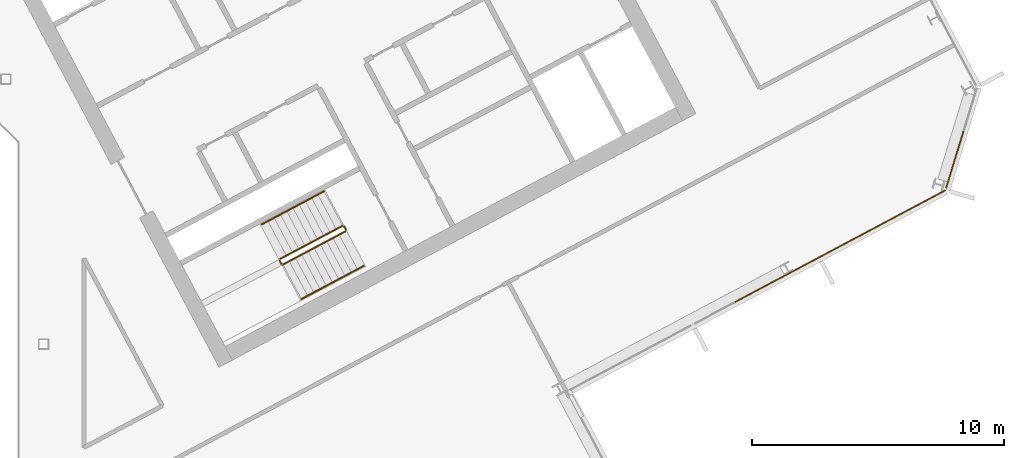
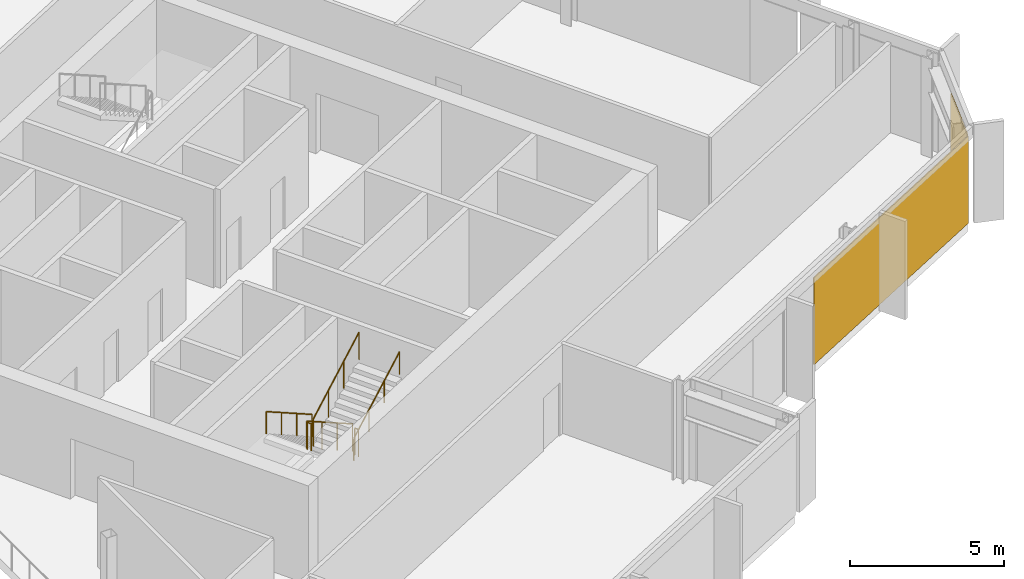
# One storey, part 24 of 26: 6 railings, 2 coverings, 2 elements without a shape of their own.
"""IFC4 building model written with IfcOpenShell, lengths in metres."""

import ifcopenshell
import ifcopenshell.guid

model = None  # the IFC model being written
_history = None  # IfcOwnerHistory: only IFC2X3 demands one
_inside = {}  # id of a spatial element -> (the spatial element, [elements in it])
_under = {}  # id of a project, library or spatial element -> (it, [spatial elements below it])
_declared = {}  # id of a project -> (the project, [libraries it declares])
_typed = {}  # id of a type object -> (the type object, [elements of that type])
_made_of = {}  # id of a material, layer set ... -> (it, [elements and type objects made of it])


def new_model(schema):
    """Start an empty IFC model of exactly this schema.

    Asked for "IFC4X3", IfcOpenShell would pick the latest addendum, in which some entities
    have other attributes; the version numbers below select the first issue.
    IFC2X3 requires an IfcOwnerHistory on every rooted entity: one is made here for all.
    """
    global model, _history
    if schema == "IFC4X3":
        model = ifcopenshell.file(schema_version=(4, 3, 0, 0))
    else:
        model = ifcopenshell.file(schema=schema)
    _inside.clear()
    _under.clear()
    _declared.clear()
    _typed.clear()
    _made_of.clear()
    _history = None
    if model.schema == "IFC2X3":
        org = make("IfcOrganization", Name="unknown")
        user = make(
            "IfcPersonAndOrganization",
            ThePerson=make("IfcPerson", FamilyName="unknown"),
            TheOrganization=org,
        )
        app = make(
            "IfcApplication",
            ApplicationDeveloper=org,
            Version="unknown",
            ApplicationFullName="unknown",
            ApplicationIdentifier="unknown",
        )
        _history = make(
            "IfcOwnerHistory",
            OwningUser=user,
            OwningApplication=app,
            ChangeAction="ADDED",
            CreationDate=0,
        )
    return model


def make(cls, **values):
    """One entity of the class cls with the attributes given. An attribute that is None is left unset."""
    return model.create_entity(
        cls, **{name: value for name, value in values.items() if value is not None}
    )


def rooted(cls, **values):
    """An entity with a GlobalId (a new one), such as an element, a storey or a relation."""
    return make(cls, GlobalId=ifcopenshell.guid.new(), OwnerHistory=_history, **values)


def si_unit(unit_type, name, prefix=None):
    """IfcSIUnit, for example si_unit("LENGTHUNIT", "METRE", prefix="MILLI")."""
    return make("IfcSIUnit", UnitType=unit_type, Prefix=prefix, Name=name)


def assignment(units):
    """IfcUnitAssignment: the units of a project."""
    return None if units is None else make("IfcUnitAssignment", Units=units)


def point(xyz):
    """IfcCartesianPoint."""
    return None if xyz is None else make("IfcCartesianPoint", Coordinates=xyz)


def direction(xyz):
    """IfcDirection."""
    return None if xyz is None else make("IfcDirection", DirectionRatios=xyz)


def frame(location, z_axis=None, x_axis=None):
    """IfcAxis2Placement3D, a coordinate frame: its origin and axes. An axis left out is left unset."""
    return make(
        "IfcAxis2Placement3D",
        Location=point(location),
        Axis=direction(z_axis),
        RefDirection=direction(x_axis),
    )


def frame_2d(location, x_axis=None):
    """IfcAxis2Placement2D, a coordinate frame in the plane: its origin and x axis."""
    return make(
        "IfcAxis2Placement2D", Location=point(location), RefDirection=direction(x_axis)
    )


def origin():
    """The frame at (0, 0, 0) with its axes left unset."""
    return frame((0.0, 0.0, 0.0))


def origin_2d():
    """The frame at (0, 0) in the plane with its x axis left unset."""
    return frame_2d((0.0, 0.0))


def place(relative_to, where):
    """IfcLocalPlacement: puts the frame where relative to a parent placement (None: the world)."""
    return make(
        "IfcLocalPlacement", PlacementRelTo=relative_to, RelativePlacement=where
    )


def context(
    kind, dimensions, precision=None, world=None, true_north=None, identifier=None
):
    """IfcGeometricRepresentationContext, for example the 3D "Model" context."""
    return make(
        "IfcGeometricRepresentationContext",
        ContextIdentifier=identifier,
        ContextType=kind,
        CoordinateSpaceDimension=dimensions,
        Precision=precision,
        WorldCoordinateSystem=world,
        TrueNorth=true_north,
    )


def subcontext(parent, identifier, kind, view, scale=None):
    """IfcGeometricRepresentationSubContext, for example "Body" below "Model"."""
    return make(
        "IfcGeometricRepresentationSubContext",
        ContextIdentifier=identifier,
        ContextType=kind,
        ParentContext=parent,
        TargetScale=scale,
        TargetView=view,
    )


def project(units=None, contexts=None):
    """IfcProject with its units and contexts."""
    return rooted(
        "IfcProject",
        Name="project",
        RepresentationContexts=contexts,
        UnitsInContext=assignment(units),
    )


def spatial(cls, under=None, at=None, **own):
    """A site, building, storey or space (cls), placed at a placement, below another one or the project."""
    s = rooted(cls, ObjectPlacement=at, **own)
    if under is not None:
        _under.setdefault(under.id(), (under, []))[1].append(s)
    return s


def polyline(points):
    """IfcPolyline through the points."""
    return make("IfcPolyline", Points=[point(p) for p in points])


def profile(cls, at=None, kind="AREA", **sizes):
    """A parametric profile (cls). Its sizes go by their IFC names, for example OverallWidth=200.0."""
    return make(cls, ProfileType=kind, Position=at, **sizes)


def rectangle(**sizes):
    """IfcRectangleProfileDef."""
    return profile("IfcRectangleProfileDef", **sizes)


def outline(outer, holes=None, kind="AREA"):
    """IfcArbitraryClosedProfileDef: a profile drawn as a closed curve; with holes, ...WithVoids."""
    if holes is None:
        return make("IfcArbitraryClosedProfileDef", ProfileType=kind, OuterCurve=outer)
    return make(
        "IfcArbitraryProfileDefWithVoids",
        ProfileType=kind,
        OuterCurve=outer,
        InnerCurves=holes,
    )


def extrude(swept, where, along, depth):
    """IfcExtrudedAreaSolid: the profile swept, set in the frame where, extruded along a direction by depth."""
    return make(
        "IfcExtrudedAreaSolid",
        SweptArea=swept,
        Position=where,
        ExtrudedDirection=direction(along),
        Depth=depth,
    )


def shape(context_of_items, identifier, shape_type, items):
    """IfcShapeRepresentation: the items that make up one representation, for example the "Body"."""
    return make(
        "IfcShapeRepresentation",
        ContextOfItems=context_of_items,
        RepresentationIdentifier=identifier,
        RepresentationType=shape_type,
        Items=items,
    )


def material(Name=None, Category=None):
    """IfcMaterial."""
    return make("IfcMaterial", Name=Name, Category=Category)


def layer(
    of_material, thickness, ventilated=None, Name=None, Category=None, Priority=None
):
    """IfcMaterialLayer: one layer of a wall or slab, of a material (None: an air gap)."""
    return make(
        "IfcMaterialLayer",
        Material=of_material,
        LayerThickness=thickness,
        IsVentilated=ventilated,
        Name=Name,
        Category=Category,
        Priority=Priority,
    )


def layer_set(layers, Name=None):
    """IfcMaterialLayerSet."""
    return make("IfcMaterialLayerSet", MaterialLayers=layers, LayerSetName=Name)


def made_of(thing, what):
    """Note that an element or type object is made of a material, layer set ...; save() writes the relation."""
    if what is not None:
        _made_of.setdefault(what.id(), (what, []))[1].append(thing)
    return thing


def type_object(cls, material=None, **own):
    """A type object (cls), such as IfcWallType, which elements share."""
    return made_of(rooted(cls, **own), material)


def element(
    cls,
    number,
    at=None,
    inside=None,
    cuts=None,
    type_object=None,
    material=None,
    context=None,
    identifier="Body",
    shape_type=None,
    held_by="IfcProductDefinitionShape",
    body=None,
    shapes=None,
    **own,
):
    """One element of the class cls, such as IfcWall. Its Tag is "e" and its number.

    at: its placement. inside: the storey or other place that contains it. cuts: it is an
    opening in that element (IfcRelVoidsElement). A single representation is given by context,
    identifier, shape_type and body (its items); several are given by shapes. held_by: the class
    of the entity that holds the representations. save() writes the other relations.
    """
    e = rooted(cls, Tag="e%d" % number, ObjectPlacement=at, **own)
    if body is not None:
        shapes = [shape(context, identifier, shape_type, body)]
    if shapes is not None:
        e.Representation = make(held_by, Representations=shapes)
    if inside is not None:
        _inside.setdefault(inside.id(), (inside, []))[1].append(e)
    if cuts is not None:
        rooted(
            "IfcRelVoidsElement", RelatingBuildingElement=cuts, RelatedOpeningElement=e
        )
    if type_object is not None:
        _typed.setdefault(type_object.id(), (type_object, []))[1].append(e)
    return made_of(e, material)


def aggregate(whole, parts):
    """IfcRelAggregates: a whole, such as a stair, and the parts it consists of."""
    return rooted("IfcRelAggregates", RelatingObject=whole, RelatedObjects=parts)


def save(model, path):
    """Write the relations noted so far, then the file.

    IfcRelAggregates (storeys below a building ...), IfcRelContainedInSpatialStructure (elements
    in a storey), IfcRelDefinesByType, IfcRelAssociatesMaterial and IfcRelDeclares: one each for
    every whole, place, type object, material and project.
    """
    for whole, parts in _under.values():
        aggregate(whole, parts)
    for where, things in _inside.values():
        rooted(
            "IfcRelContainedInSpatialStructure",
            RelatedElements=things,
            RelatingStructure=where,
        )
    for kind, things in _typed.values():
        rooted("IfcRelDefinesByType", RelatedObjects=things, RelatingType=kind)
    for what, things in _made_of.values():
        rooted("IfcRelAssociatesMaterial", RelatedObjects=things, RelatingMaterial=what)
    for by, libraries in _declared.values():
        rooted("IfcRelDeclares", RelatingContext=by, RelatedDefinitions=libraries)
    model.write(path)


model = new_model("IFC4")

# Units and contexts
model_context = context("Model", 3, precision=1e-05, world=origin(), true_north=direction((0.0, 1.0)))
body_context = subcontext(model_context, "Body", "Model", "MODEL_VIEW")
ifc_project = project(units=[si_unit("LENGTHUNIT", "METRE"), si_unit("AREAUNIT", "SQUARE_METRE"), si_unit("VOLUMEUNIT", "CUBIC_METRE"), si_unit("PLANEANGLEUNIT", "RADIAN"), si_unit("MASSUNIT", "GRAM", prefix="KILO")], contexts=[model_context])

# Site, building, storey
site_placement = place(None, origin())
site = spatial("IfcSite", under=ifc_project, at=site_placement, CompositionType="ELEMENT")
building_placement = place(site_placement, origin())
building = spatial("IfcBuilding", under=site, at=building_placement, Name="Cormorant Relay Tower", CompositionType="ELEMENT")
storey_placement = place(building_placement, frame((0.0, 0.0, 213.0)))
storey = spatial("IfcBuildingStorey", under=building, at=storey_placement, Name="L46", CompositionType="ELEMENT", Elevation=213.0)

# Curtain wall, covering
ifc_material_1 = material(Name="Aluminium 6063-T6 anodised bronze", Category="aluminium")
ifc_layer_1 = layer(ifc_material_1, 0.199951171875)
ifc_layer_set_1 = layer_set([ifc_layer_1], Name="CW1 unitised bronze curtain wall with vertical fins")
curtain_wall_type = type_object("IfcCurtainWallType", Name="CW1 unitised bronze curtain wall with vertical fins", PredefinedType="NOTDEFINED", material=ifc_layer_set_1)
curtain_wall_1_placement = place(storey_placement, origin())
curtain_wall_1 = element("IfcCurtainWall", 1, at=curtain_wall_1_placement, inside=storey, type_object=curtain_wall_type, Name="CW1 curtain wall 4", PredefinedType="NOTDEFINED")
ifc_material_2 = material(Name="Pale bronze anodised aluminium insulated panel", Category="aluminium")
ifc_layer_2 = layer(ifc_material_2, 0.0400390625)
ifc_layer_set_2 = layer_set([ifc_layer_2], Name="CW1 pale bronze insulated panel 40")
covering_type = type_object("IfcCoveringType", Name="CW1 pale bronze insulated panel 40", PredefinedType="CLADDING", material=ifc_layer_set_2)
covering_1_placement = place(storey_placement, frame((43.54736328125, 3.878173828125, 0.0), z_axis=(0.0, 0.0, 1.0), x_axis=(0.882947592859, 0.469471562786, 0.0)))
covering_1 = element("IfcCovering", 2, at=covering_1_placement, type_object=covering_type, Name="CW1 panel S03", PredefinedType="CLADDING", context=body_context, shape_type="SweptSolid", body=[
    extrude(rectangle(XDim=9.458251953125, YDim=0.0400390625, at=origin_2d()), origin(), (0.0, 0.0, 1.0), 3.449951171875),
])
aggregate(curtain_wall_1, [covering_1])

curtain_wall_2_placement = place(storey_placement, origin())
curtain_wall_2 = element("IfcCurtainWall", 3, at=curtain_wall_2_placement, inside=storey, type_object=curtain_wall_type, Name="CW1 curtain wall 5", PredefinedType="NOTDEFINED")
covering_2_placement = place(storey_placement, frame((48.100830078125, 7.314208984375, 0.0), z_axis=(0.0, 0.0, 1.0), x_axis=(0.292371704723, 0.956304755963, 0.0)))
covering_2 = element("IfcCovering", 4, at=covering_2_placement, type_object=covering_type, Name="CW1 panel S00", PredefinedType="CLADDING", context=body_context, shape_type="SweptSolid", body=[
    extrude(rectangle(XDim=2.36767578125, YDim=0.0400390625, at=origin_2d()), origin(), (0.0, 0.0, 1.0), 3.449951171875),
])
aggregate(curtain_wall_2, [covering_2])

# Railings
ifc_material_3 = material(Name="Steel ASTM A572 Grade 50 (Fy 345 MPa)", Category="steel")
railing_type_1 = type_object("IfcRailingType", Name="Stair guard 1100", PredefinedType="GUARDRAIL", material=ifc_material_3)
railing_1_placement = place(storey_placement, frame((23.83837890625, 4.6904296875, 0.17724609375)))
element("IfcRailing", 5, at=railing_1_placement, inside=storey, type_object=railing_type_1, Name="L46 B1 stair guard 1", PredefinedType="GUARDRAIL", context=body_context, shape_type="SweptSolid", body=[
    extrude(outline(polyline([(0.022216796875, 0.00927734375), (0.00927734375, 0.022216796875), (-0.00927734375, 0.022216796875), (-0.022216796875, 0.00927734375), (-0.022216796875, -0.00927734375), (-0.00927734375, -0.022216796875), (0.00927734375, -0.022216796875), (0.022216796875, -0.00927734375), (0.022216796875, 0.00927734375)])), frame((0.0, 0.0, 1.076171875), z_axis=(-0.746033882577, -0.396627473466, 0.534901947407), x_axis=(0.469429322983, -0.882970050864, 0.0)), (0.0, 0.0, 1.0), 3.31396484375),
    extrude(outline(polyline([(0.019287109375, 0.008056640625), (0.008056640625, 0.019287109375), (-0.008056640625, 0.019287109375), (-0.019287109375, 0.008056640625), (-0.019287109375, -0.008056640625), (-0.008056640625, -0.019287109375), (0.008056640625, -0.019287109375), (0.019287109375, -0.008056640625), (0.019287109375, 0.008056640625)])), origin(), (0.0, 0.0, 1.0), 1.052001953125),
    extrude(outline(polyline([(0.019287109375, 0.008056640625), (0.008056640625, 0.019287109375), (-0.008056640625, 0.019287109375), (-0.019287109375, 0.008056640625), (-0.019287109375, -0.008056640625), (-0.008056640625, -0.019287109375), (0.008056640625, -0.019287109375), (0.019287109375, -0.008056640625), (0.019287109375, 0.008056640625)])), frame((-0.82421875, -0.438232421875, 0.5908203125)), (0.0, 0.0, 1.0), 1.052001953125),
    extrude(outline(polyline([(0.019287109375, 0.008056640625), (0.008056640625, 0.019287109375), (-0.008056640625, 0.019287109375), (-0.019287109375, 0.008056640625), (-0.019287109375, -0.008056640625), (-0.008056640625, -0.019287109375), (0.008056640625, -0.019287109375), (0.019287109375, -0.008056640625), (0.019287109375, 0.008056640625)])), frame((-1.648193359375, -0.876220703125, 1.181884765625)), (0.0, 0.0, 1.0), 1.052001953125),
    extrude(outline(polyline([(0.019287109375, 0.008056640625), (0.008056640625, 0.019287109375), (-0.008056640625, 0.019287109375), (-0.019287109375, 0.008056640625), (-0.019287109375, -0.008056640625), (-0.008056640625, -0.019287109375), (0.008056640625, -0.019287109375), (0.019287109375, -0.008056640625), (0.019287109375, 0.008056640625)])), frame((-2.472412109375, -1.314453125, 1.772705078125)), (0.0, 0.0, 1.0), 1.052001953125),
])
railing_2_placement = place(storey_placement, frame((21.345458984375, 3.308349609375, 1.949951171875)))
element("IfcRailing", 6, at=railing_2_placement, inside=storey, type_object=railing_type_1, Name="L46 B1 stair guard 2", PredefinedType="GUARDRAIL", context=body_context, shape_type="SweptSolid", body=[
    extrude(outline(polyline([(0.022216796875, 0.00927734375), (0.00927734375, 0.022216796875), (-0.00927734375, 0.022216796875), (-0.022216796875, 0.00927734375), (-0.022216796875, -0.00927734375), (-0.00927734375, -0.022216796875), (0.00927734375, -0.022216796875), (0.022216796875, -0.00927734375), (0.022216796875, 0.00927734375)])), frame((0.0, 0.0, 1.076171875), z_axis=(0.46856034887, -0.8834314911, 0.0), x_axis=(0.8834314911, 0.46856034887, 0.0)), (0.0, 0.0, 1.0), 0.150146484375),
    extrude(outline(polyline([(0.019287109375, 0.008056640625), (0.008056640625, 0.019287109375), (-0.008056640625, 0.019287109375), (-0.019287109375, 0.008056640625), (-0.019287109375, -0.008056640625), (-0.008056640625, -0.019287109375), (0.008056640625, -0.019287109375), (0.019287109375, -0.008056640625), (0.019287109375, 0.008056640625)])), origin(), (0.0, 0.0, 1.0), 1.052001953125),
    extrude(outline(polyline([(0.019287109375, 0.008056640625), (0.008056640625, 0.019287109375), (-0.008056640625, 0.019287109375), (-0.019287109375, 0.008056640625), (-0.019287109375, -0.008056640625), (-0.008056640625, -0.019287109375), (0.008056640625, -0.019287109375), (0.019287109375, -0.008056640625), (0.019287109375, 0.008056640625)])), frame((0.0703125, -0.132568359375, 0.0)), (0.0, 0.0, 1.0), 1.052001953125),
])
railing_3_placement = place(storey_placement, frame((21.4833984375, 3.1552734375, 2.127197265625)))
element("IfcRailing", 7, at=railing_3_placement, inside=storey, type_object=railing_type_1, Name="L46 B1 stair guard 3", PredefinedType="GUARDRAIL", context=body_context, shape_type="SweptSolid", body=[
    extrude(outline(polyline([(0.022216796875, 0.00927734375), (0.00927734375, 0.022216796875), (-0.00927734375, 0.022216796875), (-0.022216796875, 0.00927734375), (-0.022216796875, -0.00927734375), (-0.00927734375, -0.022216796875), (0.00927734375, -0.022216796875), (0.022216796875, -0.00927734375), (0.022216796875, 0.00927734375)])), frame((0.0, 0.0, 1.076171875), z_axis=(0.746001213114, 0.396649272309, 0.534931345884), x_axis=(-0.469465464807, 0.882950835185, 0.0)), (0.0, 0.0, 1.0), 3.31396484375),
    extrude(outline(polyline([(0.019287109375, 0.008056640625), (0.008056640625, 0.019287109375), (-0.008056640625, 0.019287109375), (-0.019287109375, 0.008056640625), (-0.019287109375, -0.008056640625), (-0.008056640625, -0.019287109375), (0.008056640625, -0.019287109375), (0.019287109375, -0.008056640625), (0.019287109375, 0.008056640625)])), origin(), (0.0, 0.0, 1.0), 1.052001953125),
    extrude(outline(polyline([(0.019287109375, 0.008056640625), (0.008056640625, 0.019287109375), (-0.008056640625, 0.019287109375), (-0.019287109375, 0.008056640625), (-0.019287109375, -0.008056640625), (-0.008056640625, -0.019287109375), (0.008056640625, -0.019287109375), (0.019287109375, -0.008056640625), (0.019287109375, 0.008056640625)])), frame((0.823974609375, 0.438232421875, 0.5908203125)), (0.0, 0.0, 1.0), 1.052001953125),
    extrude(outline(polyline([(0.019287109375, 0.008056640625), (0.008056640625, 0.019287109375), (-0.008056640625, 0.019287109375), (-0.019287109375, 0.008056640625), (-0.019287109375, -0.008056640625), (-0.008056640625, -0.019287109375), (0.008056640625, -0.019287109375), (0.019287109375, -0.008056640625), (0.019287109375, 0.008056640625)])), frame((1.648193359375, 0.876220703125, 1.181884765625)), (0.0, 0.0, 1.0), 1.052001953125),
    extrude(outline(polyline([(0.019287109375, 0.008056640625), (0.008056640625, 0.019287109375), (-0.008056640625, 0.019287109375), (-0.019287109375, 0.008056640625), (-0.019287109375, -0.008056640625), (-0.008056640625, -0.019287109375), (0.008056640625, -0.019287109375), (0.019287109375, -0.008056640625), (0.019287109375, 0.008056640625)])), frame((2.47216796875, 1.314453125, 1.772705078125)), (0.0, 0.0, 1.0), 1.052001953125),
])
railing_4_placement = place(storey_placement, frame((23.906005859375, 4.669677734375, 0.0)))
element("IfcRailing", 8, at=railing_4_placement, inside=storey, type_object=railing_type_1, Name="L46 B1 stair guard 4", PredefinedType="GUARDRAIL", context=body_context, shape_type="SweptSolid", body=[
    extrude(outline(polyline([(0.022216796875, 0.00927734375), (0.00927734375, 0.022216796875), (-0.00927734375, 0.022216796875), (-0.022216796875, 0.00927734375), (-0.022216796875, -0.00927734375), (-0.00927734375, -0.022216796875), (0.00927734375, -0.022216796875), (0.022216796875, -0.00927734375), (0.022216796875, 0.00927734375)])), frame((0.0, 0.0, 1.076171875), z_axis=(0.469234640946, -0.883073525669, 0.0), x_axis=(0.883073525669, 0.469234640946, 0.0)), (0.0, 0.0, 1.0), 0.14990234375),
    extrude(outline(polyline([(0.019287109375, 0.008056640625), (0.008056640625, 0.019287109375), (-0.008056640625, 0.019287109375), (-0.019287109375, 0.008056640625), (-0.019287109375, -0.008056640625), (-0.008056640625, -0.019287109375), (0.008056640625, -0.019287109375), (0.019287109375, -0.008056640625), (0.019287109375, 0.008056640625)])), origin(), (0.0, 0.0, 1.0), 1.052001953125),
    extrude(outline(polyline([(0.019287109375, 0.008056640625), (0.008056640625, 0.019287109375), (-0.008056640625, 0.019287109375), (-0.019287109375, 0.008056640625), (-0.019287109375, -0.008056640625), (-0.008056640625, -0.019287109375), (0.008056640625, -0.019287109375), (0.019287109375, -0.008056640625), (0.019287109375, 0.008056640625)])), frame((0.0703125, -0.13232421875, 0.0)), (0.0, 0.0, 1.0), 1.052001953125),
])
ifc_material_4 = material(Name="Steel ASTM A572 Grade 50 (Fy 345 MPa)", Category="steel")
railing_type_2 = type_object("IfcRailingType", Name="Stair handrail 900", PredefinedType="HANDRAIL", material=ifc_material_4)
railing_5_placement = place(storey_placement, frame((23.110595703125, 6.05908203125, 0.17724609375)))
element("IfcRailing", 9, at=railing_5_placement, inside=storey, type_object=railing_type_2, Name="L46 B1 stair handrail 1", PredefinedType="HANDRAIL", context=body_context, shape_type="SweptSolid", body=[
    extrude(outline(polyline([(0.022216796875, 0.00927734375), (0.00927734375, 0.022216796875), (-0.00927734375, 0.022216796875), (-0.022216796875, 0.00927734375), (-0.022216796875, -0.00927734375), (-0.00927734375, -0.022216796875), (0.00927734375, -0.022216796875), (0.022216796875, -0.00927734375), (0.022216796875, 0.00927734375)])), frame((0.0, 0.0, 0.8759765625), z_axis=(-0.745979412481, -0.396711350603, 0.534915713414), x_axis=(0.469533439143, -0.882914689835, 0.0)), (0.0, 0.0, 1.0), 3.31396484375),
    extrude(outline(polyline([(0.019287109375, 0.008056640625), (0.008056640625, 0.019287109375), (-0.008056640625, 0.019287109375), (-0.019287109375, 0.008056640625), (-0.019287109375, -0.008056640625), (-0.008056640625, -0.019287109375), (0.008056640625, -0.019287109375), (0.019287109375, -0.008056640625), (0.019287109375, 0.008056640625)])), origin(), (0.0, 0.0, 1.0), 0.851806640625),
    extrude(outline(polyline([(0.019287109375, 0.008056640625), (0.008056640625, 0.019287109375), (-0.008056640625, 0.019287109375), (-0.019287109375, 0.008056640625), (-0.019287109375, -0.008056640625), (-0.008056640625, -0.019287109375), (0.008056640625, -0.019287109375), (0.019287109375, -0.008056640625), (0.019287109375, 0.008056640625)])), frame((-0.823974609375, -0.438232421875, 0.5908203125)), (0.0, 0.0, 1.0), 0.851806640625),
    extrude(outline(polyline([(0.019287109375, 0.008056640625), (0.008056640625, 0.019287109375), (-0.008056640625, 0.019287109375), (-0.019287109375, 0.008056640625), (-0.019287109375, -0.008056640625), (-0.008056640625, -0.019287109375), (0.008056640625, -0.019287109375), (0.019287109375, -0.008056640625), (0.019287109375, 0.008056640625)])), frame((-1.648193359375, -0.87646484375, 1.181884765625)), (0.0, 0.0, 1.0), 0.851806640625),
    extrude(outline(polyline([(0.019287109375, 0.008056640625), (0.008056640625, 0.019287109375), (-0.008056640625, 0.019287109375), (-0.019287109375, 0.008056640625), (-0.019287109375, -0.008056640625), (-0.008056640625, -0.019287109375), (0.008056640625, -0.019287109375), (0.019287109375, -0.008056640625), (0.019287109375, 0.008056640625)])), frame((-2.47216796875, -1.314697265625, 1.772705078125)), (0.0, 0.0, 1.0), 0.851806640625),
])
railing_6_placement = place(storey_placement, frame((22.211181640625, 1.78662109375, 2.127197265625)))
element("IfcRailing", 10, at=railing_6_placement, inside=storey, type_object=railing_type_2, Name="L46 B1 stair handrail 2", PredefinedType="HANDRAIL", context=body_context, shape_type="SweptSolid", body=[
    extrude(outline(polyline([(0.022216796875, 0.00927734375), (0.00927734375, 0.022216796875), (-0.00927734375, 0.022216796875), (-0.022216796875, 0.00927734375), (-0.022216796875, -0.00927734375), (-0.00927734375, -0.022216796875), (0.00927734375, -0.022216796875), (0.022216796875, -0.00927734375), (0.022216796875, 0.00927734375)])), frame((0.0, 0.0, 0.8759765625), z_axis=(0.746001213114, 0.396649272309, 0.534931345884), x_axis=(-0.469465464807, 0.882950835185, 0.0)), (0.0, 0.0, 1.0), 3.31396484375),
    extrude(outline(polyline([(0.019287109375, 0.008056640625), (0.008056640625, 0.019287109375), (-0.008056640625, 0.019287109375), (-0.019287109375, 0.008056640625), (-0.019287109375, -0.008056640625), (-0.008056640625, -0.019287109375), (0.008056640625, -0.019287109375), (0.019287109375, -0.008056640625), (0.019287109375, 0.008056640625)])), origin(), (0.0, 0.0, 1.0), 0.851806640625),
    extrude(outline(polyline([(0.019287109375, 0.008056640625), (0.008056640625, 0.019287109375), (-0.008056640625, 0.019287109375), (-0.019287109375, 0.008056640625), (-0.019287109375, -0.008056640625), (-0.008056640625, -0.019287109375), (0.008056640625, -0.019287109375), (0.019287109375, -0.008056640625), (0.019287109375, 0.008056640625)])), frame((0.823974609375, 0.438232421875, 0.5908203125)), (0.0, 0.0, 1.0), 0.851806640625),
    extrude(outline(polyline([(0.019287109375, 0.008056640625), (0.008056640625, 0.019287109375), (-0.008056640625, 0.019287109375), (-0.019287109375, 0.008056640625), (-0.019287109375, -0.008056640625), (-0.008056640625, -0.019287109375), (0.008056640625, -0.019287109375), (0.019287109375, -0.008056640625), (0.019287109375, 0.008056640625)])), frame((1.648193359375, 0.876220703125, 1.181884765625)), (0.0, 0.0, 1.0), 0.851806640625),
    extrude(outline(polyline([(0.019287109375, 0.008056640625), (0.008056640625, 0.019287109375), (-0.008056640625, 0.019287109375), (-0.019287109375, 0.008056640625), (-0.019287109375, -0.008056640625), (-0.008056640625, -0.019287109375), (0.008056640625, -0.019287109375), (0.019287109375, -0.008056640625), (0.019287109375, 0.008056640625)])), frame((2.47216796875, 1.314453125, 1.772705078125)), (0.0, 0.0, 1.0), 0.851806640625),
])

save(model, "model.ifc")
